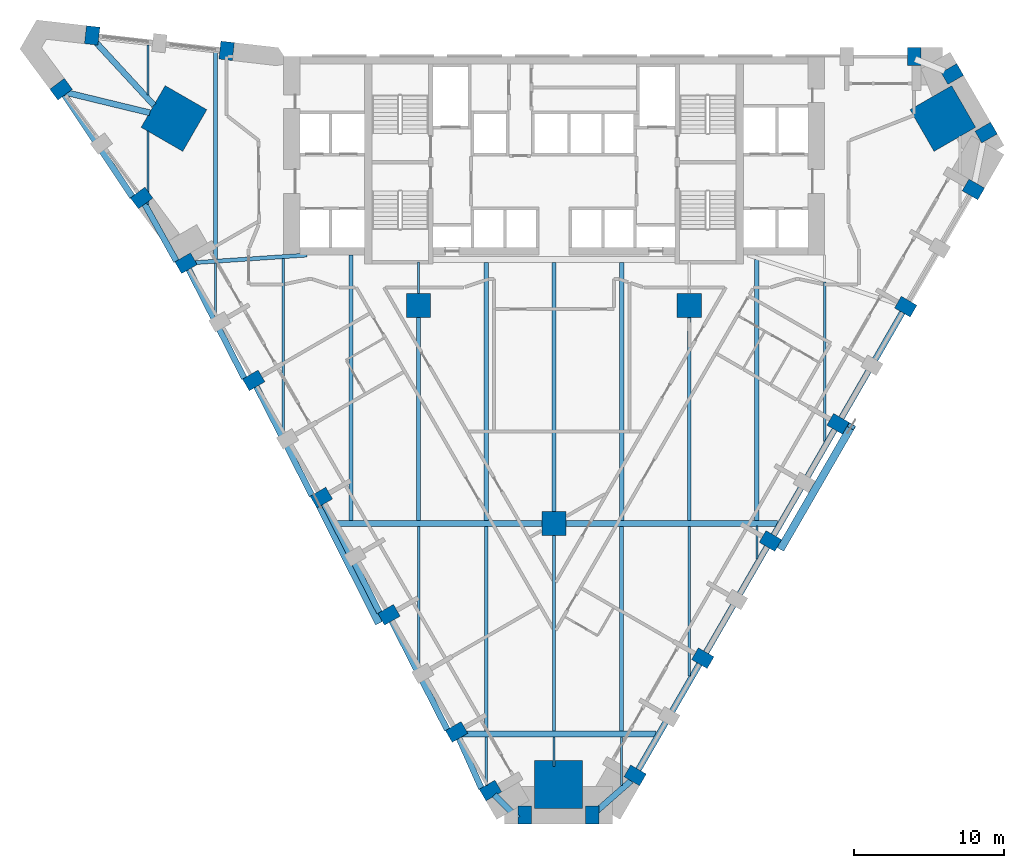
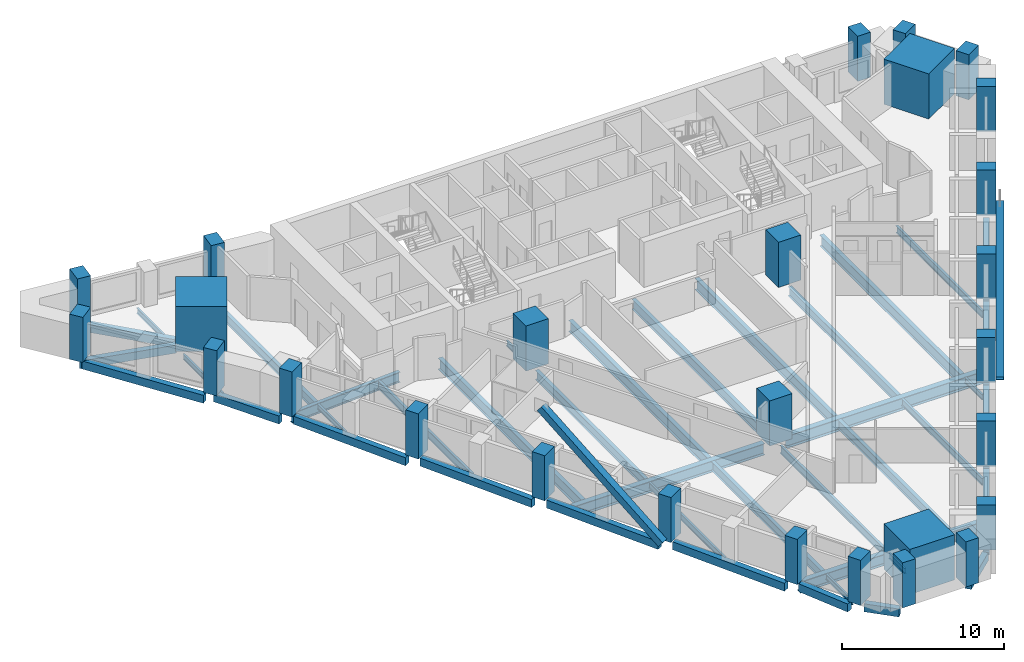
# One storey, part 1 of 10: 42 beams, 27 columns, 2 members.
"""IFC4 building model written with IfcOpenShell, lengths in metres."""

from ifc_helpers import new_model, si_unit, direction, frame, origin, origin_2d, place, context, subcontext, project, spatial, rectangle, hollow_rectangle, i_section, extrude, material, material_profile, profile_set, type_object, element, save


model = new_model("IFC4")

# Units and contexts
model_context = context("Model", 3, precision=1e-05, world=origin(), true_north=direction((0.0, 1.0)))
body_context = subcontext(model_context, "Body", "Model", "MODEL_VIEW")
ifc_project = project(units=[si_unit("LENGTHUNIT", "METRE"), si_unit("AREAUNIT", "SQUARE_METRE"), si_unit("VOLUMEUNIT", "CUBIC_METRE"), si_unit("PLANEANGLEUNIT", "RADIAN"), si_unit("MASSUNIT", "GRAM", prefix="KILO")], contexts=[model_context])

# Site, building, storey
site_placement = place(None, origin())
site = spatial("IfcSite", under=ifc_project, at=site_placement, CompositionType="ELEMENT")
building_placement = place(site_placement, origin())
building = spatial("IfcBuilding", under=site, at=building_placement, Name="Calabash Gate Tower", CompositionType="ELEMENT")
storey_placement = place(building_placement, frame((0.0, 0.0, 59.60009765625)))
storey = spatial("IfcBuildingStorey", under=building, at=storey_placement, Name="L10", CompositionType="ELEMENT", Elevation=59.60009765625)

# Columns
ifc_material_1 = material(Name="Concrete C80/95", Category="concrete")
ifc_material_profile_1 = material_profile(ifc_material_1, rectangle(XDim=1.60009765625, YDim=1.60009765625, at=origin_2d()))
ifc_profile_set_1 = profile_set([ifc_material_profile_1], Name="Concrete C80/95")
column_type_1 = type_object("IfcColumnType", Name="Interior column RC 1600x1600 Concrete C80/95", PredefinedType="COLUMN", material=ifc_profile_set_1)
for number, where, z_axis, x_axis, name in (
    (1, (-9.0, 2.5, 0.0), (0.0, 0.0, 1.0), (1.0, 0.0, 0.0), "Interior column L10 I0"),
    (2, (9.0, 2.5, 0.0), (0.0, 0.0, 1.0), (1.0, 0.0, 0.0), "Interior column L10 I1"),
    (3, (0.0, -12.0, 0.0), (0.0, 0.0, 1.0), (1.0, 0.0, 0.0), "Interior column L10 I2"),
):
    element("IfcColumn", number, at=place(storey_placement, frame(where, z_axis=z_axis, x_axis=x_axis)), inside=storey, type_object=column_type_1, Name=name, PredefinedType="COLUMN", context=body_context, shape_type="SweptSolid", body=[
        extrude(rectangle(XDim=1.60009765625, YDim=1.60009765625, at=origin_2d()), origin(), (0.0, 0.0, 1.0), 3.39990234375),
    ])
ifc_material_2 = material(Name="Concrete C80/95", Category="concrete")
ifc_material_profile_2 = material_profile(ifc_material_2, rectangle(XDim=3.199951171875, YDim=3.199951171875, at=origin_2d()))
ifc_profile_set_2 = profile_set([ifc_material_profile_2], Name="Concrete C80/95")
column_type_2 = type_object("IfcColumnType", Name="Mega column RC 3200x3200 Concrete C80/95", PredefinedType="COLUMN", material=ifc_profile_set_2)
for number, where, z_axis, x_axis, name in (
    (4, (-25.27197265625, 14.93701171875, 0.0), (0.0, 0.0, 1.0), (0.866025412511, -0.499999984885, 0.0), "Mega column L10 NW"),
    (5, (25.868896484375, 14.93701171875, 0.0), (0.0, 0.0, 1.0), (-0.866025412511, -0.499999984885, 0.0), "Mega column L10 NE"),
    (6, (0.298095703125, -29.35400390625, 0.0), (0.0, 0.0, 1.0), (0.0, 1.0, 0.0), "Mega column L10 S"),
):
    element("IfcColumn", number, at=place(storey_placement, frame(where, z_axis=z_axis, x_axis=x_axis)), inside=storey, type_object=column_type_2, Name=name, PredefinedType="COLUMN", context=body_context, shape_type="SweptSolid", body=[
        extrude(rectangle(XDim=3.199951171875, YDim=3.199951171875, at=origin_2d()), origin(), (0.0, 0.0, 1.0), 3.39990234375),
    ])
ifc_material_3 = material(Name="Concrete C70/85", Category="concrete")
ifc_material_profile_3 = material_profile(ifc_material_3, rectangle(XDim=0.89990234375, YDim=1.199951171875, at=origin_2d()))
ifc_profile_set_3 = profile_set([ifc_material_profile_3], Name="Concrete C70/85")
column_type_3 = type_object("IfcColumnType", Name="Perimeter column RC 900x1200 Concrete C70/85", PredefinedType="COLUMN", material=ifc_profile_set_3)
for number, where, z_axis, x_axis, name in (
    (7, (-24.469970703125, 5.31103515625, 0.0), (0.0, 0.0, 1.0), (0.500000015115, -0.866025395058, 0.0), "Perimeter column L10 P00"),
    (8, (-19.969970703125, -2.48291015625, 0.0), (0.0, 0.0, 1.0), (0.500000015115, -0.866025395058, 0.0), "Perimeter column L10 P01"),
    (9, (-15.469970703125, -10.277099609375, 0.0), (0.0, 0.0, 1.0), (0.500000015115, -0.866025395058, 0.0), "Perimeter column L10 P02"),
    (10, (-10.969970703125, -18.072021484375, 0.0), (0.0, 0.0, 1.0), (0.500000015115, -0.866025395058, 0.0), "Perimeter column L10 P03"),
    (11, (-6.469970703125, -25.865966796875, 0.0), (0.0, 0.0, 1.0), (0.500000015115, -0.866025395058, 0.0), "Perimeter column L10 P04"),
    (12, (-4.219970703125, -29.762939453125, 0.0), (0.0, 0.0, 1.0), (0.500000015115, -0.866025395058, 0.0), "Perimeter column L10 P05"),
    (13, (-1.951904296875, -31.3798828125, 0.0), (0.0, 0.0, 1.0), (1.0, 0.0, 0.0), "Perimeter column L10 P06"),
    (14, (2.548095703125, -31.3798828125, 0.0), (0.0, 0.0, 1.0), (1.0, 0.0, 0.0), "Perimeter column L10 P07"),
    (15, (5.39892578125, -28.7529296875, 0.0), (0.0, 0.0, 1.0), (0.500000015115, 0.866025395058, 0.0), "Perimeter column L10 P08"),
    (16, (9.89892578125, -20.958984375, 0.0), (0.0, 0.0, 1.0), (0.500000015115, 0.866025395058, 0.0), "Perimeter column L10 P09"),
    (17, (14.39892578125, -13.1630859375, 0.0), (0.0, 0.0, 1.0), (0.500000015115, 0.866025395058, 0.0), "Perimeter column L10 P10"),
    (18, (18.89892578125, -5.37109375, 0.0), (0.0, 0.0, 1.0), (0.500000015115, 0.866025395058, 0.0), "Perimeter column L10 P11"),
    (19, (23.39892578125, 2.423095703125, 0.0), (0.0, 0.0, 1.0), (0.500000015115, 0.866025395058, 0.0), "Perimeter column L10 P12"),
    (20, (27.89892578125, 10.218017578125, 0.0), (0.0, 0.0, 1.0), (0.500000015115, 0.866025395058, 0.0), "Perimeter column L10 P13"),
    (21, (28.748046875, 14.0, 0.0), (0.0, 0.0, 1.0), (-0.499999984885, 0.866025412511, 0.0), "Perimeter column L10 P14"),
    (22, (26.498046875, 17.89697265625, 0.0), (0.0, 0.0, 1.0), (-0.499999984885, 0.866025412511, 0.0), "Perimeter column L10 P15"),
    (23, (23.964111328125, 19.052978515625, 0.0), (0.0, 0.0, 1.0), (-1.0, 0.0, 0.0), "Perimeter column L10 P16"),
    (24, (-21.77001953125, 19.43798828125, 0.0), (0.0, 0.0, 1.0), (-0.993506319736, 0.113776942504, 0.0), "Perimeter column L10 P17"),
    (25, (-30.7119140625, 20.4619140625, 0.0), (0.0, 0.0, 1.0), (-0.993506319736, 0.113776942504, 0.0), "Perimeter column L10 P18"),
    (26, (-32.778076171875, 16.883056640625, 0.0), (0.0, 0.0, 1.0), (0.595286896465, -0.80351323007, 0.0), "Perimeter column L10 P19"),
    (27, (-27.4208984375, 9.65087890625, 0.0), (0.0, 0.0, 1.0), (0.595286896465, -0.80351323007, 0.0), "Perimeter column L10 P20"),
):
    element("IfcColumn", number, at=place(storey_placement, frame(where, z_axis=z_axis, x_axis=x_axis)), inside=storey, type_object=column_type_3, Name=name, PredefinedType="COLUMN", context=body_context, shape_type="SweptSolid", body=[
        extrude(rectangle(XDim=0.89990234375, YDim=1.199951171875, at=origin_2d()), origin(), (0.0, 0.0, 1.0), 3.39990234375),
    ])

# Beams
ifc_material_4 = material(Name="Concrete C60/75", Category="concrete")
ifc_material_profile_4 = material_profile(ifc_material_4, rectangle(XDim=0.39990234375, YDim=0.60009765625, at=origin_2d()))
ifc_profile_set_4 = profile_set([ifc_material_profile_4], Name="Concrete C60/75")
beam_type_1 = type_object("IfcBeamType", Name="Edge beam RC 400x600 Concrete C60/75", PredefinedType="BEAM", material=ifc_profile_set_4)
beam_1_placement = place(storey_placement, frame((-19.822998046875, -2.822998046875, -0.47021484375), z_axis=(0.454264260372, -0.890866983196, 0.0), x_axis=(0.890866983196, 0.454264260372, 0.0)))
element("IfcBeam", 28, at=beam_1_placement, inside=storey, type_object=beam_type_1, Name="Edge beam L10 1", PredefinedType="BEAM", context=body_context, shape_type="SweptSolid", body=[
    extrude(rectangle(XDim=0.39990234375, YDim=0.60009765625, at=origin_2d()), origin(), (0.0, 0.0, 1.0), 8.2109375),
])
for number, where, z_axis, x_axis, name in (
    (29, (-15.322998046875, -10.618896484375, -0.47021484375), (0.454360539812, -0.890817882545, 0.0), (0.890817882545, 0.454360539812, 0.0), "Edge beam L10 2"),
    (30, (-10.822998046875, -18.4130859375, -0.47021484375), (0.454360539812, -0.890817882545, 0.0), (0.890817882545, 0.454360539812, 0.0), "Edge beam L10 3"),
):
    element("IfcBeam", number, at=place(storey_placement, frame(where, z_axis=z_axis, x_axis=x_axis)), inside=storey, type_object=beam_type_1, Name=name, PredefinedType="BEAM", context=body_context, shape_type="SweptSolid", body=[
        extrude(rectangle(XDim=0.39990234375, YDim=0.60009765625, at=origin_2d()), origin(), (0.0, 0.0, 1.0), 8.209228515625),
    ])
beam_2_placement = place(storey_placement, frame((-6.345947265625, -26.2080078125, -0.47021484375), z_axis=(0.407168420861, -0.913353095497, 0.0), x_axis=(0.913353095497, 0.407168420861, 0.0)))
element("IfcBeam", 31, at=beam_2_placement, inside=storey, type_object=beam_type_1, Name="Edge beam L10 4", PredefinedType="BEAM", context=body_context, shape_type="SweptSolid", body=[
    extrude(rectangle(XDim=0.39990234375, YDim=0.60009765625, at=origin_2d()), origin(), (0.0, 0.0, 1.0), 3.738037109375),
])
beam_3_placement = place(storey_placement, frame((-3.968017578125, -30.0458984375, -0.47021484375), z_axis=(0.710457811309, -0.703739794491, 0.0), x_axis=(0.703739794491, 0.710457811309, 0.0)))
element("IfcBeam", 32, at=beam_3_placement, inside=storey, type_object=beam_type_1, Name="Edge beam L10 5", PredefinedType="BEAM", context=body_context, shape_type="SweptSolid", body=[
    extrude(rectangle(XDim=0.39990234375, YDim=0.60009765625, at=origin_2d()), origin(), (0.0, 0.0, 1.0), 2.216796875),
])
beam_4_placement = place(storey_placement, frame((2.681884765625, -31.26904296875, -0.47021484375), z_axis=(0.750281511821, 0.66111848637, 0.0), x_axis=(-0.66111848637, 0.750281511821, 0.0)))
element("IfcBeam", 33, at=beam_4_placement, inside=storey, type_object=beam_type_1, Name="Edge beam L10 6", PredefinedType="BEAM", context=body_context, shape_type="SweptSolid", body=[
    extrude(rectangle(XDim=0.39990234375, YDim=0.60009765625, at=origin_2d()), origin(), (0.0, 0.0, 1.0), 3.27490234375),
])
for number, where, z_axis, x_axis, name in (
    (34, (5.468017578125, -28.634033203125, -0.47021484375), (0.499990825162, 0.866030700815, 0.0), (-0.866030700815, 0.499990825162, 0.0), "Edge beam L10 7"),
    (35, (9.968017578125, -20.840087890625, -0.47021484375), (0.499990825162, 0.866030700815, 0.0), (-0.866030700815, 0.499990825162, 0.0), "Edge beam L10 8"),
):
    element("IfcBeam", number, at=place(storey_placement, frame(where, z_axis=z_axis, x_axis=x_axis)), inside=storey, type_object=beam_type_1, Name=name, PredefinedType="BEAM", context=body_context, shape_type="SweptSolid", body=[
        extrude(rectangle(XDim=0.39990234375, YDim=0.60009765625, at=origin_2d()), origin(), (0.0, 0.0, 1.0), 8.426025390625),
    ])
for number, where, z_axis, x_axis, name in (
    (36, (14.468017578125, -13.0458984375, -0.47021484375), (0.500003371769, 0.866023457084, 0.0), (-0.866023457084, 0.500003371769, 0.0), "Edge beam L10 9"),
    (37, (18.968017578125, -5.2509765625, -0.47021484375), (0.500003371769, 0.866023457084, 0.0), (-0.866023457084, 0.500003371769, 0.0), "Edge beam L10 10"),
):
    element("IfcBeam", number, at=place(storey_placement, frame(where, z_axis=z_axis, x_axis=x_axis)), inside=storey, type_object=beam_type_1, Name=name, PredefinedType="BEAM", context=body_context, shape_type="SweptSolid", body=[
        extrude(rectangle(XDim=0.39990234375, YDim=0.60009765625, at=origin_2d()), origin(), (0.0, 0.0, 1.0), 8.42578125),
    ])
beam_5_placement = place(storey_placement, frame((-30.8798828125, 20.449951171875, -0.47021484375), z_axis=(0.678509783503, -0.734591365107, 0.0), x_axis=(0.734591365107, 0.678509783503, 0.0)))
element("IfcBeam", 38, at=beam_5_placement, inside=storey, type_object=beam_type_1, Name="Edge beam L10 15", PredefinedType="BEAM", context=body_context, shape_type="SweptSolid", body=[
    extrude(rectangle(XDim=0.39990234375, YDim=0.60009765625, at=origin_2d()), origin(), (0.0, 0.0, 1.0), 6.312255859375),
])
beam_6_placement = place(storey_placement, frame((-26.87109375, 15.31396484375, -0.47021484375), z_axis=(-0.971786115096, 0.235863830432, 0.0), x_axis=(-0.235863830432, -0.971786115096, 0.0)))
element("IfcBeam", 39, at=beam_6_placement, inside=storey, type_object=beam_type_1, Name="Edge beam L10 16", PredefinedType="BEAM", context=body_context, shape_type="SweptSolid", body=[
    extrude(rectangle(XDim=0.39990234375, YDim=0.60009765625, at=origin_2d()), origin(), (0.0, 0.0, 1.0), 6.118408203125),
])
beam_7_placement = place(storey_placement, frame((-32.760009765625, 16.81103515625, -0.47021484375), z_axis=(0.554594365742, -0.832120838273, 0.0), x_axis=(0.832120838273, 0.554594365742, 0.0)))
element("IfcBeam", 40, at=beam_7_placement, inside=storey, type_object=beam_type_1, Name="Edge beam L10 17", PredefinedType="BEAM", context=body_context, shape_type="SweptSolid", body=[
    extrude(rectangle(XDim=0.39990234375, YDim=0.60009765625, at=origin_2d()), origin(), (0.0, 0.0, 1.0), 8.51806640625),
])
beam_8_placement = place(storey_placement, frame((-27.402099609375, 9.56396484375, -0.47021484375), z_axis=(0.48667111806, -0.873585269362, 0.0), x_axis=(0.873585269362, 0.48667111806, 0.0)))
element("IfcBeam", 41, at=beam_8_placement, inside=storey, type_object=beam_type_1, Name="Edge beam L10 18", PredefinedType="BEAM", context=body_context, shape_type="SweptSolid", body=[
    extrude(rectangle(XDim=0.39990234375, YDim=0.60009765625, at=origin_2d()), origin(), (0.0, 0.0, 1.0), 4.716064453125),
])
beam_9_placement = place(storey_placement, frame((-24.322998046875, 4.969970703125, -0.47021484375), z_axis=(0.454360539812, -0.890817882545, 0.0), x_axis=(0.890817882545, 0.454360539812, 0.0)))
element("IfcBeam", 42, at=beam_9_placement, inside=storey, type_object=beam_type_1, Name="Edge beam L10 19", PredefinedType="BEAM", context=body_context, shape_type="SweptSolid", body=[
    extrude(rectangle(XDim=0.39990234375, YDim=0.60009765625, at=origin_2d()), origin(), (0.0, 0.0, 1.0), 8.209228515625),
])
ifc_material_5 = material(Name="Steel ASTM A992 Gr50", Category="steel")
ifc_material_profile_5 = material_profile(ifc_material_5, i_section(OverallWidth=0.1396484375, OverallDepth=0.398681640625, WebThickness=0.00634765625, FlangeThickness=0.0087890625, FilletRadius=0.01025390625, at=origin_2d()))
ifc_profile_set_5 = profile_set([ifc_material_profile_5], Name="Steel ASTM A992 Gr50")
beam_type_2 = type_object("IfcBeamType", Name="Floor beam W16x26 ASTM A992 Gr50", PredefinedType="BEAM", material=ifc_profile_set_5)
beam_10_placement = place(storey_placement, frame((-27.0, 9.22900390625, -0.369140625), z_axis=(0.0, 1.0, 0.0), x_axis=(-1.0, 0.0, 0.0)))
element("IfcBeam", 43, at=beam_10_placement, inside=storey, type_object=beam_type_2, Name="Floor beam L10 1", PredefinedType="BEAM", context=body_context, shape_type="SweptSolid", body=[
    extrude(i_section(OverallWidth=0.1396484375, OverallDepth=0.398681640625, WebThickness=0.00634765625, FlangeThickness=0.0087890625, FilletRadius=0.01025390625, at=origin_2d()), origin(), (0.0, 0.0, 1.0), 4.884033203125),
])
beam_11_placement = place(storey_placement, frame((-27.0, 16.511962890625, -0.369140625), z_axis=(0.0, 1.0, 0.0), x_axis=(-1.0, 0.0, 0.0)))
element("IfcBeam", 44, at=beam_11_placement, inside=storey, type_object=beam_type_2, Name="Floor beam L10 2", PredefinedType="BEAM", context=body_context, shape_type="SweptSolid", body=[
    extrude(i_section(OverallWidth=0.1396484375, OverallDepth=0.398681640625, WebThickness=0.00634765625, FlangeThickness=0.0087890625, FilletRadius=0.01025390625, at=origin_2d()), origin(), (0.0, 0.0, 1.0), 3.31396484375),
])
beam_12_placement = place(storey_placement, frame((-22.5, 1.806884765625, -0.369140625), z_axis=(0.0, 1.0, 0.0), x_axis=(-1.0, 0.0, 0.0)))
element("IfcBeam", 45, at=beam_12_placement, inside=storey, type_object=beam_type_2, Name="Floor beam L10 3", PredefinedType="BEAM", context=body_context, shape_type="SweptSolid", body=[
    extrude(i_section(OverallWidth=0.1396484375, OverallDepth=0.398681640625, WebThickness=0.00634765625, FlangeThickness=0.0087890625, FilletRadius=0.01025390625, at=origin_2d()), origin(), (0.0, 0.0, 1.0), 3.525146484375),
])
beam_13_placement = place(storey_placement, frame((-9.0, 3.300048828125, -0.369140625), z_axis=(0.0, 1.0, 0.0), x_axis=(-1.0, 0.0, 0.0)))
element("IfcBeam", 46, at=beam_13_placement, inside=storey, type_object=beam_type_2, Name="Floor beam L10 9", PredefinedType="BEAM", context=body_context, shape_type="SweptSolid", body=[
    extrude(i_section(OverallWidth=0.1396484375, OverallDepth=0.398681640625, WebThickness=0.00634765625, FlangeThickness=0.0087890625, FilletRadius=0.01025390625, at=origin_2d()), origin(), (0.0, 0.0, 1.0), 2.10302734375),
])
beam_14_placement = place(storey_placement, frame((-4.5, -29.428955078125, -0.369140625), z_axis=(0.0, 1.0, 0.0), x_axis=(-1.0, 0.0, 0.0)))
element("IfcBeam", 47, at=beam_14_placement, inside=storey, type_object=beam_type_2, Name="Floor beam L10 10", PredefinedType="BEAM", context=body_context, shape_type="SweptSolid", body=[
    extrude(i_section(OverallWidth=0.1396484375, OverallDepth=0.398681640625, WebThickness=0.00634765625, FlangeThickness=0.0087890625, FilletRadius=0.01025390625, at=origin_2d()), origin(), (0.0, 0.0, 1.0), 3.22998046875),
])
beam_15_placement = place(storey_placement, frame((0.0, -28.14599609375, -0.369140625), z_axis=(0.0, 1.0, 0.0), x_axis=(-1.0, 0.0, 0.0)))
element("IfcBeam", 48, at=beam_15_placement, inside=storey, type_object=beam_type_2, Name="Floor beam L10 13", PredefinedType="BEAM", context=body_context, shape_type="SweptSolid", body=[
    extrude(i_section(OverallWidth=0.1396484375, OverallDepth=0.398681640625, WebThickness=0.00634765625, FlangeThickness=0.0087890625, FilletRadius=0.01025390625, at=origin_2d()), origin(), (0.0, 0.0, 1.0), 1.947021484375),
])
beam_16_placement = place(storey_placement, frame((4.5, -29.431884765625, -0.369140625), z_axis=(0.0, 1.0, 0.0), x_axis=(-1.0, 0.0, 0.0)))
element("IfcBeam", 49, at=beam_16_placement, inside=storey, type_object=beam_type_2, Name="Floor beam L10 16", PredefinedType="BEAM", context=body_context, shape_type="SweptSolid", body=[
    extrude(i_section(OverallWidth=0.1396484375, OverallDepth=0.398681640625, WebThickness=0.00634765625, FlangeThickness=0.0087890625, FilletRadius=0.01025390625, at=origin_2d()), origin(), (0.0, 0.0, 1.0), 3.23291015625),
])
beam_17_placement = place(storey_placement, frame((13.5, -14.35400390625, -0.369140625), z_axis=(0.0, 1.0, 0.0), x_axis=(-1.0, 0.0, 0.0)))
element("IfcBeam", 50, at=beam_17_placement, inside=storey, type_object=beam_type_2, Name="Floor beam L10 22", PredefinedType="BEAM", context=body_context, shape_type="SweptSolid", body=[
    extrude(i_section(OverallWidth=0.1396484375, OverallDepth=0.398681640625, WebThickness=0.00634765625, FlangeThickness=0.0087890625, FilletRadius=0.01025390625, at=origin_2d()), origin(), (0.0, 0.0, 1.0), 2.176025390625),
])
ifc_material_6 = material(Name="Steel ASTM A992 Gr50", Category="steel")
ifc_material_profile_6 = material_profile(ifc_material_6, i_section(OverallWidth=0.15234375, OverallDepth=0.44970703125, WebThickness=0.007568359375, FlangeThickness=0.0107421875, FilletRadius=0.01025390625, at=origin_2d()))
ifc_profile_set_6 = profile_set([ifc_material_profile_6], Name="Steel ASTM A992 Gr50")
beam_type_3 = type_object("IfcBeamType", Name="Floor beam W18x35 ASTM A992 Gr50", PredefinedType="BEAM", material=ifc_profile_set_6)
beam_18_placement = place(storey_placement, frame((-9.0, -21.572998046875, -0.39306640625), z_axis=(0.0, 1.0, 0.0), x_axis=(-1.0, 0.0, 0.0)))
element("IfcBeam", 51, at=beam_18_placement, inside=storey, type_object=beam_type_3, Name="Floor beam L10 7", PredefinedType="BEAM", context=body_context, shape_type="SweptSolid", body=[
    extrude(i_section(OverallWidth=0.15234375, OverallDepth=0.44970703125, WebThickness=0.007568359375, FlangeThickness=0.0107421875, FilletRadius=0.01025390625, at=origin_2d()), origin(), (0.0, 0.0, 1.0), 9.3740234375),
])
ifc_material_7 = material(Name="Steel ASTM A992 Gr50", Category="steel")
ifc_material_profile_7 = material_profile(ifc_material_7, i_section(OverallWidth=0.166015625, OverallDepth=0.5283203125, WebThickness=0.009765625, FlangeThickness=0.013671875, FilletRadius=0.0126953125, at=origin_2d()))
ifc_profile_set_7 = profile_set([ifc_material_profile_7], Name="Steel ASTM A992 Gr50")
beam_type_4 = type_object("IfcBeamType", Name="Floor beam W21x50 ASTM A992 Gr50", PredefinedType="BEAM", material=ifc_profile_set_7)
beam_19_placement = place(storey_placement, frame((9.0, -22.14892578125, -0.43408203125), z_axis=(0.0, 1.0, 0.0), x_axis=(-1.0, 0.0, 0.0)))
element("IfcBeam", 52, at=beam_19_placement, inside=storey, type_object=beam_type_4, Name="Floor beam L10 19", PredefinedType="BEAM", context=body_context, shape_type="SweptSolid", body=[
    extrude(i_section(OverallWidth=0.166015625, OverallDepth=0.5283203125, WebThickness=0.009765625, FlangeThickness=0.013671875, FilletRadius=0.0126953125, at=origin_2d()), origin(), (0.0, 0.0, 1.0), 9.93896484375),
])
beam_20_placement = place(storey_placement, frame((18.0, -6.56005859375, -0.43408203125), z_axis=(0.0, 1.0, 0.0), x_axis=(-1.0, 0.0, 0.0)))
element("IfcBeam", 53, at=beam_20_placement, inside=storey, type_object=beam_type_4, Name="Floor beam L10 24", PredefinedType="BEAM", context=body_context, shape_type="SweptSolid", body=[
    extrude(i_section(OverallWidth=0.166015625, OverallDepth=0.5283203125, WebThickness=0.009765625, FlangeThickness=0.013671875, FilletRadius=0.0126953125, at=origin_2d()), origin(), (0.0, 0.0, 1.0), 10.631103515625),
])
ifc_material_8 = material(Name="Steel ASTM A992 Gr50", Category="steel")
ifc_material_profile_8 = material_profile(ifc_material_8, i_section(OverallWidth=0.1787109375, OverallDepth=0.60205078125, WebThickness=0.010986328125, FlangeThickness=0.014892578125, FilletRadius=0.0126953125, at=origin_2d()))
ifc_profile_set_8 = profile_set([ifc_material_profile_8], Name="Steel ASTM A992 Gr50")
beam_type_5 = type_object("IfcBeamType", Name="Floor beam W24x62 ASTM A992 Gr50", PredefinedType="BEAM", material=ifc_profile_set_8)
beam_21_placement = place(storey_placement, frame((-18.0, -5.987060546875, -0.47119140625), z_axis=(0.0, 1.0, 0.0), x_axis=(-1.0, 0.0, 0.0)))
element("IfcBeam", 54, at=beam_21_placement, inside=storey, type_object=beam_type_5, Name="Floor beam L10 5", PredefinedType="BEAM", context=body_context, shape_type="SweptSolid", body=[
    extrude(i_section(OverallWidth=0.1787109375, OverallDepth=0.60205078125, WebThickness=0.010986328125, FlangeThickness=0.014892578125, FilletRadius=0.0126953125, at=origin_2d()), origin(), (0.0, 0.0, 1.0), 11.623046875),
])
beam_22_placement = place(storey_placement, frame((0.0, -25.801025390625, -0.47119140625), z_axis=(0.0, 1.0, 0.0), x_axis=(-1.0, 0.0, 0.0)))
element("IfcBeam", 55, at=beam_22_placement, inside=storey, type_object=beam_type_5, Name="Floor beam L10 14", PredefinedType="BEAM", context=body_context, shape_type="SweptSolid", body=[
    extrude(i_section(OverallWidth=0.1787109375, OverallDepth=0.60205078125, WebThickness=0.010986328125, FlangeThickness=0.014892578125, FilletRadius=0.0126953125, at=origin_2d()), origin(), (0.0, 0.0, 1.0), 13.0009765625),
])
ifc_material_9 = material(Name="Steel ASTM A992 Gr50", Category="steel")
ifc_material_profile_9 = material_profile(ifc_material_9, i_section(OverallWidth=0.25390625, OverallDepth=0.67822265625, WebThickness=0.01171875, FlangeThickness=0.016357421875, FilletRadius=0.01513671875, at=origin_2d()))
ifc_profile_set_9 = profile_set([ifc_material_profile_9], Name="Steel ASTM A992 Gr50")
beam_type_6 = type_object("IfcBeamType", Name="Floor beam W27x84 ASTM A992 Gr50", PredefinedType="BEAM", material=ifc_profile_set_9)
beam_23_placement = place(storey_placement, frame((-22.5, 5.555908203125, -0.509033203125), z_axis=(0.0, 1.0, 0.0), x_axis=(-1.0, 0.0, 0.0)))
element("IfcBeam", 56, at=beam_23_placement, inside=storey, type_object=beam_type_6, Name="Floor beam L10 4", PredefinedType="BEAM", context=body_context, shape_type="SweptSolid", body=[
    extrude(i_section(OverallWidth=0.25390625, OverallDepth=0.67822265625, WebThickness=0.01171875, FlangeThickness=0.016357421875, FilletRadius=0.01513671875, at=origin_2d()), origin(), (0.0, 0.0, 1.0), 13.755126953125),
])
beam_24_placement = place(storey_placement, frame((-9.0, -11.801025390625, -0.509033203125), z_axis=(0.0, 1.0, 0.0), x_axis=(-1.0, 0.0, 0.0)))
element("IfcBeam", 57, at=beam_24_placement, inside=storey, type_object=beam_type_6, Name="Floor beam L10 8", PredefinedType="BEAM", context=body_context, shape_type="SweptSolid", body=[
    extrude(i_section(OverallWidth=0.25390625, OverallDepth=0.67822265625, WebThickness=0.01171875, FlangeThickness=0.016357421875, FilletRadius=0.01513671875, at=origin_2d()), origin(), (0.0, 0.0, 1.0), 13.5009765625),
])
beam_25_placement = place(storey_placement, frame((-4.5, -25.801025390625, -0.509033203125), z_axis=(0.0, 1.0, 0.0), x_axis=(-1.0, 0.0, 0.0)))
element("IfcBeam", 58, at=beam_25_placement, inside=storey, type_object=beam_type_6, Name="Floor beam L10 11", PredefinedType="BEAM", context=body_context, shape_type="SweptSolid", body=[
    extrude(i_section(OverallWidth=0.25390625, OverallDepth=0.67822265625, WebThickness=0.01171875, FlangeThickness=0.016357421875, FilletRadius=0.01513671875, at=origin_2d()), origin(), (0.0, 0.0, 1.0), 13.60205078125),
])
beam_26_placement = place(storey_placement, frame((4.5, -25.801025390625, -0.509033203125), z_axis=(0.0, 1.0, 0.0), x_axis=(-1.0, 0.0, 0.0)))
element("IfcBeam", 59, at=beam_26_placement, inside=storey, type_object=beam_type_6, Name="Floor beam L10 17", PredefinedType="BEAM", context=body_context, shape_type="SweptSolid", body=[
    extrude(i_section(OverallWidth=0.25390625, OverallDepth=0.67822265625, WebThickness=0.01171875, FlangeThickness=0.016357421875, FilletRadius=0.01513671875, at=origin_2d()), origin(), (0.0, 0.0, 1.0), 13.591064453125),
])
beam_27_placement = place(storey_placement, frame((9.0, -11.7900390625, -0.509033203125), z_axis=(0.0, 1.0, 0.0), x_axis=(-1.0, 0.0, 0.0)))
element("IfcBeam", 60, at=beam_27_placement, inside=storey, type_object=beam_type_6, Name="Floor beam L10 20", PredefinedType="BEAM", context=body_context, shape_type="SweptSolid", body=[
    extrude(i_section(OverallWidth=0.25390625, OverallDepth=0.67822265625, WebThickness=0.01171875, FlangeThickness=0.016357421875, FilletRadius=0.01513671875, at=origin_2d()), origin(), (0.0, 0.0, 1.0), 13.489990234375),
])
ifc_material_10 = material(Name="Steel ASTM A992 Gr50", Category="steel")
ifc_material_profile_10 = material_profile(ifc_material_10, i_section(OverallWidth=0.2666015625, OverallDepth=0.7568359375, WebThickness=0.013916015625, FlangeThickness=0.019287109375, FilletRadius=0.0166015625, at=origin_2d()))
ifc_profile_set_10 = profile_set([ifc_material_profile_10], Name="Steel ASTM A992 Gr50")
beam_type_7 = type_object("IfcBeamType", Name="Floor beam W30x108 ASTM A992 Gr50", PredefinedType="BEAM", material=ifc_profile_set_10)
beam_28_placement = place(storey_placement, frame((0.0, -11.199951171875, -0.548095703125), z_axis=(0.0, 1.0, 0.0), x_axis=(-1.0, 0.0, 0.0)))
element("IfcBeam", 61, at=beam_28_placement, inside=storey, type_object=beam_type_7, Name="Floor beam L10 15", PredefinedType="BEAM", context=body_context, shape_type="SweptSolid", body=[
    extrude(i_section(OverallWidth=0.2666015625, OverallDepth=0.7568359375, WebThickness=0.013916015625, FlangeThickness=0.019287109375, FilletRadius=0.0166015625, at=origin_2d()), origin(), (0.0, 0.0, 1.0), 16.552001953125),
])
ifc_material_11 = material(Name="Steel ASTM A992 Gr50", Category="steel")
ifc_material_profile_11 = material_profile(ifc_material_11, i_section(OverallWidth=0.2919921875, OverallDepth=0.845703125, WebThickness=0.015380859375, FlangeThickness=0.0244140625, FilletRadius=0.017822265625, at=origin_2d()))
ifc_profile_set_11 = profile_set([ifc_material_profile_11], Name="Steel ASTM A992 Gr50")
beam_type_8 = type_object("IfcBeamType", Name="Floor beam W33x141 ASTM A992 Gr50", PredefinedType="BEAM", material=ifc_profile_set_11)
beam_29_placement = place(storey_placement, frame((-13.5, -11.801025390625, -0.593017578125), z_axis=(0.0, 1.0, 0.0), x_axis=(-1.0, 0.0, 0.0)))
element("IfcBeam", 62, at=beam_29_placement, inside=storey, type_object=beam_type_8, Name="Floor beam L10 6", PredefinedType="BEAM", context=body_context, shape_type="SweptSolid", body=[
    extrude(i_section(OverallWidth=0.2919921875, OverallDepth=0.845703125, WebThickness=0.015380859375, FlangeThickness=0.0244140625, FilletRadius=0.017822265625, at=origin_2d()), origin(), (0.0, 0.0, 1.0), 17.654052734375),
])
beam_30_placement = place(storey_placement, frame((-4.5, -11.801025390625, -0.593017578125), z_axis=(0.0, 1.0, 0.0), x_axis=(-1.0, 0.0, 0.0)))
element("IfcBeam", 63, at=beam_30_placement, inside=storey, type_object=beam_type_8, Name="Floor beam L10 12", PredefinedType="BEAM", context=body_context, shape_type="SweptSolid", body=[
    extrude(i_section(OverallWidth=0.2919921875, OverallDepth=0.845703125, WebThickness=0.015380859375, FlangeThickness=0.0244140625, FilletRadius=0.017822265625, at=origin_2d()), origin(), (0.0, 0.0, 1.0), 17.153076171875),
])
beam_31_placement = place(storey_placement, frame((4.5, -11.7900390625, -0.593017578125), z_axis=(0.0, 1.0, 0.0), x_axis=(-1.0, 0.0, 0.0)))
element("IfcBeam", 64, at=beam_31_placement, inside=storey, type_object=beam_type_8, Name="Floor beam L10 18", PredefinedType="BEAM", context=body_context, shape_type="SweptSolid", body=[
    extrude(i_section(OverallWidth=0.2919921875, OverallDepth=0.845703125, WebThickness=0.015380859375, FlangeThickness=0.0244140625, FilletRadius=0.017822265625, at=origin_2d()), origin(), (0.0, 0.0, 1.0), 17.14208984375),
])
beam_32_placement = place(storey_placement, frame((13.5, -11.7900390625, -0.593017578125), z_axis=(0.0, 1.0, 0.0), x_axis=(-1.0, 0.0, 0.0)))
element("IfcBeam", 65, at=beam_32_placement, inside=storey, type_object=beam_type_8, Name="Floor beam L10 23", PredefinedType="BEAM", context=body_context, shape_type="SweptSolid", body=[
    extrude(i_section(OverallWidth=0.2919921875, OverallDepth=0.845703125, WebThickness=0.015380859375, FlangeThickness=0.0244140625, FilletRadius=0.017822265625, at=origin_2d()), origin(), (0.0, 0.0, 1.0), 17.333984375),
])
ifc_material_12 = material(Name="Steel ASTM A992 Gr50", Category="steel")
ifc_material_profile_12 = material_profile(ifc_material_12, i_section(OverallWidth=0.2666015625, OverallDepth=0.77978515625, WebThickness=0.0166015625, FlangeThickness=0.030029296875, FilletRadius=0.0166015625, at=origin_2d()))
ifc_profile_set_12 = profile_set([ifc_material_profile_12], Name="Steel ASTM A992 Gr50")
beam_type_9 = type_object("IfcBeamType", Name="Girder W30x148 ASTM A992 Gr50", PredefinedType="BEAM", material=ifc_profile_set_12)
beam_33_placement = place(storey_placement, frame((-24.39404296875, 5.31591796875, -0.56005859375), z_axis=(0.99772868043, 0.06736082131, 0.0), x_axis=(-0.06736082131, 0.99772868043, 0.0)))
element("IfcBeam", 66, at=beam_33_placement, inside=storey, type_object=beam_type_9, Name="Girder L10 2", PredefinedType="BEAM", context=body_context, shape_type="SweptSolid", body=[
    extrude(i_section(OverallWidth=0.2666015625, OverallDepth=0.77978515625, WebThickness=0.0166015625, FlangeThickness=0.030029296875, FilletRadius=0.0166015625, at=origin_2d()), origin(), (0.0, 0.0, 1.0), 7.988037109375),
])
ifc_material_13 = material(Name="Steel ASTM A992 Gr50", Category="steel")
ifc_material_profile_13 = material_profile(ifc_material_13, i_section(OverallWidth=0.398681640625, OverallDepth=0.85595703125, WebThickness=0.018310546875, FlangeThickness=0.029296875, FilletRadius=0.02001953125, at=origin_2d()))
ifc_profile_set_13 = profile_set([ifc_material_profile_13], Name="Steel ASTM A992 Gr50")
beam_type_10 = type_object("IfcBeamType", Name="Girder W33x201 ASTM A992 Gr50", PredefinedType="BEAM", material=ifc_profile_set_13)
beam_34_placement = place(storey_placement, frame((-14.423095703125, -12.0, -0.59814453125), z_axis=(1.0, 0.0, 0.0), x_axis=(0.0, 1.0, 0.0)))
element("IfcBeam", 67, at=beam_34_placement, inside=storey, type_object=beam_type_10, Name="Girder L10 4", PredefinedType="BEAM", context=body_context, shape_type="SweptSolid", body=[
    extrude(i_section(OverallWidth=0.398681640625, OverallDepth=0.85595703125, WebThickness=0.018310546875, FlangeThickness=0.029296875, FilletRadius=0.02001953125, at=origin_2d()), origin(), (0.0, 0.0, 1.0), 13.623046875),
])
beam_35_placement = place(storey_placement, frame((-6.323974609375, -26.0, -0.59814453125), z_axis=(1.0, 0.0, 0.0), x_axis=(0.0, 1.0, 0.0)))
element("IfcBeam", 68, at=beam_35_placement, inside=storey, type_object=beam_type_10, Name="Girder L10 6", PredefinedType="BEAM", context=body_context, shape_type="SweptSolid", body=[
    extrude(i_section(OverallWidth=0.398681640625, OverallDepth=0.85595703125, WebThickness=0.018310546875, FlangeThickness=0.029296875, FilletRadius=0.02001953125, at=origin_2d()), origin(), (0.0, 0.0, 1.0), 13.10302734375),
])
ifc_material_14 = material(Name="Steel ASTM A992 Gr50", Category="steel")
ifc_material_profile_14 = material_profile(ifc_material_14, i_section(OverallWidth=0.419189453125, OverallDepth=0.927001953125, WebThickness=0.019287109375, FlangeThickness=0.031982421875, FilletRadius=0.024169921875, at=origin_2d()))
ifc_profile_set_14 = profile_set([ifc_material_profile_14], Name="Steel ASTM A992 Gr50")
beam_type_11 = type_object("IfcBeamType", Name="Girder W36x231 ASTM A992 Gr50", PredefinedType="BEAM", material=ifc_profile_set_14)
beam_36_placement = place(storey_placement, frame((0.800048828125, -12.0, -0.634033203125), z_axis=(1.0, 0.0, 0.0), x_axis=(0.0, 1.0, 0.0)))
element("IfcBeam", 69, at=beam_36_placement, inside=storey, type_object=beam_type_11, Name="Girder L10 5", PredefinedType="BEAM", context=body_context, shape_type="SweptSolid", body=[
    extrude(i_section(OverallWidth=0.419189453125, OverallDepth=0.927001953125, WebThickness=0.019287109375, FlangeThickness=0.031982421875, FilletRadius=0.024169921875, at=origin_2d()), origin(), (0.0, 0.0, 1.0), 14.06201171875),
])

# Members
ifc_material_15 = material(Name="Steel ASTM A500 Gr C", Category="steel")
ifc_material_profile_15 = material_profile(ifc_material_15, hollow_rectangle(XDim=0.508056640625, YDim=0.508056640625, WallThickness=0.01904296875, at=origin_2d()))
ifc_profile_set_15 = profile_set([ifc_material_profile_15], Name="Steel ASTM A500 Gr C")
member_type = type_object("IfcMemberType", Name="Mega-brace HSS20X20X.750 ASTM A500 Gr C", PredefinedType="BRACE", material=ifc_profile_set_15)
member_1_placement = place(storey_placement, frame((-11.709228515625, -18.49853515625, 0.0), z_axis=(-0.357648184868, 0.711386459425, 0.604993455508), x_axis=(-0.893442929037, -0.44917672753, 0.0)))
element("IfcMember", 70, at=member_1_placement, inside=storey, type_object=member_type, Name="Mega-brace SW Z1 3", PredefinedType="BRACE", context=body_context, shape_type="SweptSolid", body=[
    extrude(hollow_rectangle(XDim=0.508056640625, YDim=0.508056640625, WallThickness=0.01904296875, at=origin_2d()), origin(), (0.0, 0.0, 1.0), 11.239501953125),
])
member_2_placement = place(storey_placement, frame((15.138671875, -13.592041015625, 0.0), z_axis=(0.403597615914, 0.699042176426, 0.590295688622), x_axis=(-0.866022492378, 0.500005042669, 0.0)))
element("IfcMember", 71, at=member_2_placement, inside=storey, type_object=member_type, Name="Mega-brace SE Z1 8", PredefinedType="BRACE", context=body_context, shape_type="SweptSolid", body=[
    extrude(hollow_rectangle(XDim=0.508056640625, YDim=0.508056640625, WallThickness=0.01904296875, at=origin_2d()), origin(), (0.0, 0.0, 1.0), 11.519287109375),
])

save(model, "model.ifc")
